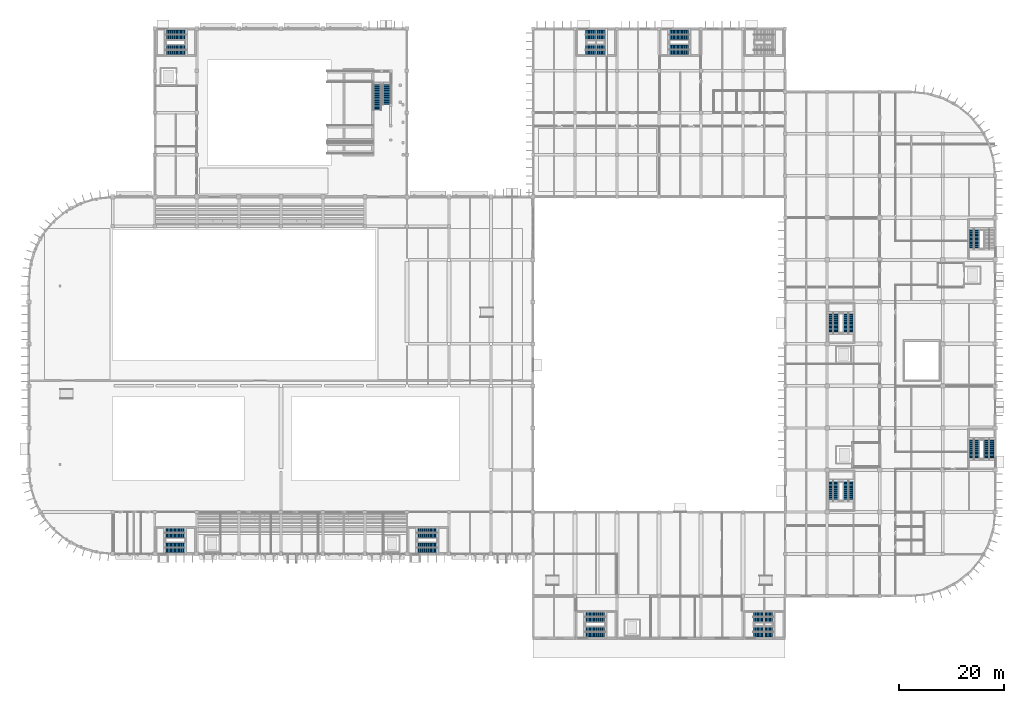
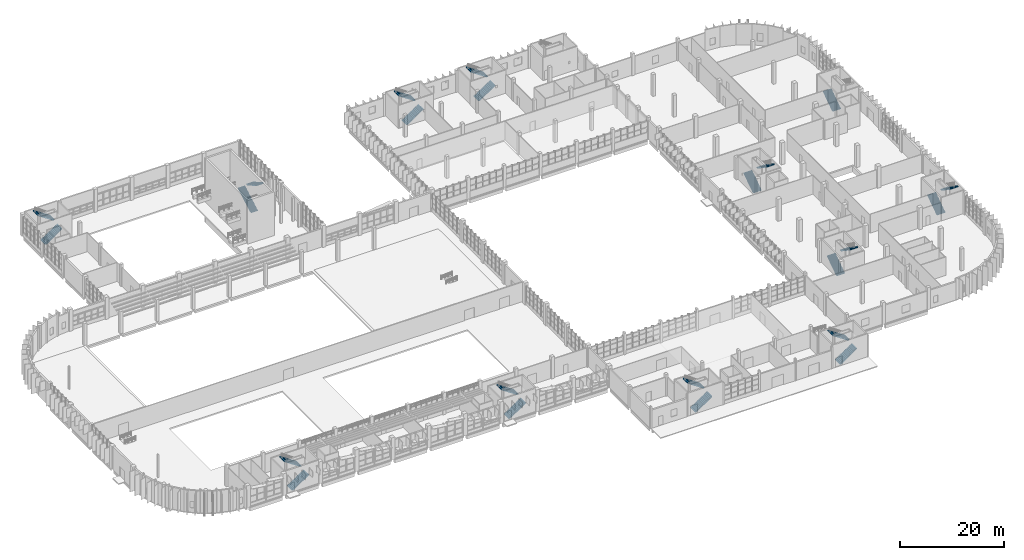
# One storey, part 85 of 103: 23 stair flights, 12 elements without a shape of their own.
"""IFC4 building model written with IfcOpenShell, lengths in metres."""

from ifc_helpers import new_model, si_unit, direction, frame, origin, place, context, subcontext, project, spatial, polyline, outline, extrude, material, type_object, element, aggregate, save


model = new_model("IFC4")

# Units and contexts
model_context = context("Model", 3, precision=1e-05, world=origin(), true_north=direction((0.0, 1.0)))
body_context = subcontext(model_context, "Body", "Model", "MODEL_VIEW")
ifc_project = project(units=[si_unit("LENGTHUNIT", "METRE"), si_unit("AREAUNIT", "SQUARE_METRE"), si_unit("VOLUMEUNIT", "CUBIC_METRE"), si_unit("PLANEANGLEUNIT", "RADIAN"), si_unit("MASSUNIT", "GRAM", prefix="KILO")], contexts=[model_context])

# Site, building, storey
site_placement = place(None, origin())
site = spatial("IfcSite", under=ifc_project, at=site_placement, CompositionType="ELEMENT")
building_placement = place(site_placement, origin())
building = spatial("IfcBuilding", under=site, at=building_placement, Name="Drelvana Railside Aquatics Centre", CompositionType="ELEMENT")
storey_placement = place(building_placement, origin())
storey = spatial("IfcBuildingStorey", under=building, at=storey_placement, Name="L00", CompositionType="ELEMENT", Elevation=0.0)

# Stair, stair flights
ifc_material = material(Name="Concrete C40/50", Category="concrete")
stair_type_1 = type_object("IfcStairType", Name="ST-CORE-L00", PredefinedType="HALF_TURN_STAIR", material=ifc_material)
stair_1_placement = place(storey_placement, origin())
stair_1 = element("IfcStair", 1, at=stair_1_placement, inside=storey, type_object=stair_type_1, Name="Exit stair ST-01 (L00 to L01)", PredefinedType="HALF_TURN_STAIR")
stair_flight_type_1 = type_object("IfcStairFlightType", Name="ST-CORE-L00-FL", PredefinedType="STRAIGHT", material=ifc_material)
stair_flight_1_placement = place(storey_placement, frame((25.969970703125, 17.175048828125, 0.0), z_axis=(0.0, 0.0, 1.0), x_axis=(1.0, 0.0, 0.0)))
stair_flight_1 = element("IfcStairFlight", 2, at=stair_flight_1_placement, type_object=stair_flight_type_1, Name="ST-L0 flight 1", NumberOfRisers=16, NumberOfTreads=15, PredefinedType="STRAIGHT", RiserHeight=0.16875, TreadLength=0.25, context=body_context, shape_type="SweptSolid", body=[
    extrude(outline(polyline([(0.0, 0.0), (0.0, 0.168701171875), (0.25, 0.168701171875), (0.25, 0.33740234375), (0.5, 0.33740234375), (0.5, 0.50634765625), (0.75, 0.50634765625), (0.75, 0.675048828125), (1.0, 0.675048828125), (1.0, 0.84375), (1.25, 0.84375), (1.25, 1.012451171875), (1.5, 1.012451171875), (1.5, 1.18115234375), (1.75, 1.18115234375), (1.75, 1.35009765625), (2.0, 1.35009765625), (2.0, 1.518798828125), (2.25, 1.518798828125), (2.25, 1.6875), (2.5, 1.6875), (2.5, 1.856201171875), (2.75, 1.856201171875), (2.75, 2.02490234375), (3.0, 2.02490234375), (3.0, 2.19384765625), (3.25, 2.19384765625), (3.25, 2.362548828125), (3.5, 2.362548828125), (3.5, 2.53125), (3.75, 2.53125), (3.75, 2.699951171875), (3.75, 2.2900390625), (0.357421875, 0.0), (0.0, 0.0)])), frame((0.0, 0.925048828125, 0.0), z_axis=(0.0, -1.0, 0.0), x_axis=(1.0, 0.0, 0.0)), (0.0, 0.0, 1.0), 1.85009765625),
])
stair_flight_2_placement = place(storey_placement, frame((29.719970703125, 20.02490234375, 2.699951171875), z_axis=(0.0, 0.0, 1.0), x_axis=(-1.0, 0.0, 0.0)))
stair_flight_2 = element("IfcStairFlight", 3, at=stair_flight_2_placement, type_object=stair_flight_type_1, Name="ST-L0 flight 2", NumberOfRisers=16, NumberOfTreads=15, PredefinedType="STRAIGHT", RiserHeight=0.16875, TreadLength=0.25, context=body_context, shape_type="SweptSolid", body=[
    extrude(outline(polyline([(0.0, 0.0), (0.0, 0.168701171875), (0.25, 0.168701171875), (0.25, 0.33740234375), (0.5, 0.33740234375), (0.5, 0.50634765625), (0.75, 0.50634765625), (0.75, 0.675048828125), (1.0, 0.675048828125), (1.0, 0.84375), (1.25, 0.84375), (1.25, 1.012451171875), (1.5, 1.012451171875), (1.5, 1.18115234375), (1.75, 1.18115234375), (1.75, 1.35009765625), (2.0, 1.35009765625), (2.0, 1.518798828125), (2.25, 1.518798828125), (2.25, 1.6875), (2.5, 1.6875), (2.5, 1.856201171875), (2.75, 1.856201171875), (2.75, 2.02490234375), (3.0, 2.02490234375), (3.0, 2.19384765625), (3.25, 2.19384765625), (3.25, 2.362548828125), (3.5, 2.362548828125), (3.5, 2.53125), (3.75, 2.53125), (3.75, 2.699951171875), (3.75, 2.2900390625), (0.357421875, 0.0), (0.0, 0.0)])), frame((0.0, 0.925048828125, 0.0), z_axis=(0.0, -1.0, 0.0), x_axis=(1.0, 0.0, 0.0)), (0.0, 0.0, 1.0), 1.85009765625),
])
aggregate(stair_1, [stair_flight_1, stair_flight_2])

stair_2_placement = place(storey_placement, origin())
stair_2 = element("IfcStair", 4, at=stair_2_placement, inside=storey, type_object=stair_type_1, Name="Exit stair ST-02 (L00 to L01)", PredefinedType="HALF_TURN_STAIR")
stair_flight_3_placement = place(storey_placement, frame((73.969970703125, 17.175048828125, 0.0), z_axis=(0.0, 0.0, 1.0), x_axis=(1.0, 0.0, 0.0)))
stair_flight_3 = element("IfcStairFlight", 5, at=stair_flight_3_placement, type_object=stair_flight_type_1, Name="ST-L0 flight 1", NumberOfRisers=16, NumberOfTreads=15, PredefinedType="STRAIGHT", RiserHeight=0.16875, TreadLength=0.25, context=body_context, shape_type="SweptSolid", body=[
    extrude(outline(polyline([(0.0, 0.0), (0.0, 0.168701171875), (0.25, 0.168701171875), (0.25, 0.33740234375), (0.5, 0.33740234375), (0.5, 0.50634765625), (0.75, 0.50634765625), (0.75, 0.675048828125), (1.0, 0.675048828125), (1.0, 0.84375), (1.25, 0.84375), (1.25, 1.012451171875), (1.5, 1.012451171875), (1.5, 1.18115234375), (1.75, 1.18115234375), (1.75, 1.35009765625), (2.0, 1.35009765625), (2.0, 1.518798828125), (2.25, 1.518798828125), (2.25, 1.6875), (2.5, 1.6875), (2.5, 1.856201171875), (2.75, 1.856201171875), (2.75, 2.02490234375), (3.0, 2.02490234375), (3.0, 2.19384765625), (3.25, 2.19384765625), (3.25, 2.362548828125), (3.5, 2.362548828125), (3.5, 2.53125), (3.75, 2.53125), (3.75, 2.699951171875), (3.75, 2.2900390625), (0.357421875, 0.0), (0.0, 0.0)])), frame((0.0, 0.925048828125, 0.0), z_axis=(0.0, -1.0, 0.0), x_axis=(1.0, 0.0, 0.0)), (0.0, 0.0, 1.0), 1.85009765625),
])
stair_flight_4_placement = place(storey_placement, frame((77.719970703125, 20.02490234375, 2.699951171875), z_axis=(0.0, 0.0, 1.0), x_axis=(-1.0, 0.0, 0.0)))
stair_flight_4 = element("IfcStairFlight", 6, at=stair_flight_4_placement, type_object=stair_flight_type_1, Name="ST-L0 flight 2", NumberOfRisers=16, NumberOfTreads=15, PredefinedType="STRAIGHT", RiserHeight=0.16875, TreadLength=0.25, context=body_context, shape_type="SweptSolid", body=[
    extrude(outline(polyline([(0.0, 0.0), (0.0, 0.168701171875), (0.25, 0.168701171875), (0.25, 0.33740234375), (0.5, 0.33740234375), (0.5, 0.50634765625), (0.75, 0.50634765625), (0.75, 0.675048828125), (1.0, 0.675048828125), (1.0, 0.84375), (1.25, 0.84375), (1.25, 1.012451171875), (1.5, 1.012451171875), (1.5, 1.18115234375), (1.75, 1.18115234375), (1.75, 1.35009765625), (2.0, 1.35009765625), (2.0, 1.518798828125), (2.25, 1.518798828125), (2.25, 1.6875), (2.5, 1.6875), (2.5, 1.856201171875), (2.75, 1.856201171875), (2.75, 2.02490234375), (3.0, 2.02490234375), (3.0, 2.19384765625), (3.25, 2.19384765625), (3.25, 2.362548828125), (3.5, 2.362548828125), (3.5, 2.53125), (3.75, 2.53125), (3.75, 2.699951171875), (3.75, 2.2900390625), (0.357421875, 0.0), (0.0, 0.0)])), frame((0.0, 0.925048828125, 0.0), z_axis=(0.0, -1.0, 0.0), x_axis=(1.0, 0.0, 0.0)), (0.0, 0.0, 1.0), 1.85009765625),
])
aggregate(stair_2, [stair_flight_3, stair_flight_4])

stair_3_placement = place(storey_placement, origin())
stair_3 = element("IfcStair", 7, at=stair_3_placement, inside=storey, type_object=stair_type_1, Name="Exit stair ST-03 (L00 to L01)", PredefinedType="HALF_TURN_STAIR")
stair_flight_5_placement = place(storey_placement, frame((26.1201171875, 111.949951171875, 0.0), z_axis=(0.0, 0.0, 1.0), x_axis=(1.0, 0.0, 0.0)))
stair_flight_5 = element("IfcStairFlight", 8, at=stair_flight_5_placement, type_object=stair_flight_type_1, Name="ST-L0 flight 1", NumberOfRisers=16, NumberOfTreads=15, PredefinedType="STRAIGHT", RiserHeight=0.16875, TreadLength=0.25, context=body_context, shape_type="SweptSolid", body=[
    extrude(outline(polyline([(0.0, 0.0), (0.0, 0.168701171875), (0.25, 0.168701171875), (0.25, 0.33740234375), (0.5, 0.33740234375), (0.5, 0.50634765625), (0.75, 0.50634765625), (0.75, 0.675048828125), (1.0, 0.675048828125), (1.0, 0.84375), (1.25, 0.84375), (1.25, 1.012451171875), (1.5, 1.012451171875), (1.5, 1.18115234375), (1.75, 1.18115234375), (1.75, 1.35009765625), (2.0, 1.35009765625), (2.0, 1.518798828125), (2.25, 1.518798828125), (2.25, 1.6875), (2.5, 1.6875), (2.5, 1.856201171875), (2.75, 1.856201171875), (2.75, 2.02490234375), (3.0, 2.02490234375), (3.0, 2.19384765625), (3.25, 2.19384765625), (3.25, 2.362548828125), (3.5, 2.362548828125), (3.5, 2.53125), (3.75, 2.53125), (3.75, 2.699951171875), (3.75, 2.2900390625), (0.357421875, 0.0), (0.0, 0.0)])), frame((0.0, 0.89990234375, 0.0), z_axis=(0.0, -1.0, 0.0), x_axis=(1.0, 0.0, 0.0)), (0.0, 0.0, 1.0), 1.800048828125),
])
stair_flight_6_placement = place(storey_placement, frame((29.8701171875, 114.85009765625, 2.699951171875), z_axis=(0.0, 0.0, 1.0), x_axis=(-1.0, 0.0, 0.0)))
stair_flight_6 = element("IfcStairFlight", 9, at=stair_flight_6_placement, type_object=stair_flight_type_1, Name="ST-L0 flight 2", NumberOfRisers=16, NumberOfTreads=15, PredefinedType="STRAIGHT", RiserHeight=0.16875, TreadLength=0.25, context=body_context, shape_type="SweptSolid", body=[
    extrude(outline(polyline([(0.0, 0.0), (0.0, 0.168701171875), (0.25, 0.168701171875), (0.25, 0.33740234375), (0.5, 0.33740234375), (0.5, 0.50634765625), (0.75, 0.50634765625), (0.75, 0.675048828125), (1.0, 0.675048828125), (1.0, 0.84375), (1.25, 0.84375), (1.25, 1.012451171875), (1.5, 1.012451171875), (1.5, 1.18115234375), (1.75, 1.18115234375), (1.75, 1.35009765625), (2.0, 1.35009765625), (2.0, 1.518798828125), (2.25, 1.518798828125), (2.25, 1.6875), (2.5, 1.6875), (2.5, 1.856201171875), (2.75, 1.856201171875), (2.75, 2.02490234375), (3.0, 2.02490234375), (3.0, 2.19384765625), (3.25, 2.19384765625), (3.25, 2.362548828125), (3.5, 2.362548828125), (3.5, 2.53125), (3.75, 2.53125), (3.75, 2.699951171875), (3.75, 2.2900390625), (0.357421875, 0.0), (0.0, 0.0)])), frame((0.0, 0.89990234375, 0.0), z_axis=(0.0, -1.0, 0.0), x_axis=(1.0, 0.0, 0.0)), (0.0, 0.0, 1.0), 1.800048828125),
])
aggregate(stair_3, [stair_flight_5, stair_flight_6])

stair_4_placement = place(storey_placement, origin())
stair_4 = element("IfcStair", 10, at=stair_4_placement, inside=storey, type_object=stair_type_1, Name="Exit stair ST-04 (L00 to L01)", PredefinedType="HALF_TURN_STAIR")
stair_flight_7_placement = place(storey_placement, frame((105.969970703125, 1.175048828125, 0.0), z_axis=(0.0, 0.0, 1.0), x_axis=(1.0, 0.0, 0.0)))
stair_flight_7 = element("IfcStairFlight", 11, at=stair_flight_7_placement, type_object=stair_flight_type_1, Name="ST-L0 flight 1", NumberOfRisers=16, NumberOfTreads=15, PredefinedType="STRAIGHT", RiserHeight=0.16875, TreadLength=0.25, context=body_context, shape_type="SweptSolid", body=[
    extrude(outline(polyline([(0.0, 0.0), (0.0, 0.168701171875), (0.25, 0.168701171875), (0.25, 0.33740234375), (0.5, 0.33740234375), (0.5, 0.50634765625), (0.75, 0.50634765625), (0.75, 0.675048828125), (1.0, 0.675048828125), (1.0, 0.84375), (1.25, 0.84375), (1.25, 1.012451171875), (1.5, 1.012451171875), (1.5, 1.18115234375), (1.75, 1.18115234375), (1.75, 1.35009765625), (2.0, 1.35009765625), (2.0, 1.518798828125), (2.25, 1.518798828125), (2.25, 1.6875), (2.5, 1.6875), (2.5, 1.856201171875), (2.75, 1.856201171875), (2.75, 2.02490234375), (3.0, 2.02490234375), (3.0, 2.19384765625), (3.25, 2.19384765625), (3.25, 2.362548828125), (3.5, 2.362548828125), (3.5, 2.53125), (3.75, 2.53125), (3.75, 2.699951171875), (3.75, 2.2900390625), (0.357421875, 0.0), (0.0, 0.0)])), frame((0.0, 0.925048828125, 0.0), z_axis=(0.0, -1.0, 0.0), x_axis=(1.0, 0.0, 0.0)), (0.0, 0.0, 1.0), 1.85009765625),
])
stair_flight_8_placement = place(storey_placement, frame((109.719970703125, 4.02490234375, 2.699951171875), z_axis=(0.0, 0.0, 1.0), x_axis=(-1.0, 0.0, 0.0)))
stair_flight_8 = element("IfcStairFlight", 12, at=stair_flight_8_placement, type_object=stair_flight_type_1, Name="ST-L0 flight 2", NumberOfRisers=16, NumberOfTreads=15, PredefinedType="STRAIGHT", RiserHeight=0.16875, TreadLength=0.25, context=body_context, shape_type="SweptSolid", body=[
    extrude(outline(polyline([(0.0, 0.0), (0.0, 0.168701171875), (0.25, 0.168701171875), (0.25, 0.33740234375), (0.5, 0.33740234375), (0.5, 0.50634765625), (0.75, 0.50634765625), (0.75, 0.675048828125), (1.0, 0.675048828125), (1.0, 0.84375), (1.25, 0.84375), (1.25, 1.012451171875), (1.5, 1.012451171875), (1.5, 1.18115234375), (1.75, 1.18115234375), (1.75, 1.35009765625), (2.0, 1.35009765625), (2.0, 1.518798828125), (2.25, 1.518798828125), (2.25, 1.6875), (2.5, 1.6875), (2.5, 1.856201171875), (2.75, 1.856201171875), (2.75, 2.02490234375), (3.0, 2.02490234375), (3.0, 2.19384765625), (3.25, 2.19384765625), (3.25, 2.362548828125), (3.5, 2.362548828125), (3.5, 2.53125), (3.75, 2.53125), (3.75, 2.699951171875), (3.75, 2.2900390625), (0.357421875, 0.0), (0.0, 0.0)])), frame((0.0, 0.925048828125, 0.0), z_axis=(0.0, -1.0, 0.0), x_axis=(1.0, 0.0, 0.0)), (0.0, 0.0, 1.0), 1.85009765625),
])
aggregate(stair_4, [stair_flight_7, stair_flight_8])

stair_5_placement = place(storey_placement, origin())
stair_5 = element("IfcStair", 13, at=stair_5_placement, inside=storey, type_object=stair_type_1, Name="Exit stair ST-05 (L00 to L01)", PredefinedType="HALF_TURN_STAIR")
stair_flight_9_placement = place(storey_placement, frame((121.969970703125, 111.97509765625, 0.0), z_axis=(0.0, 0.0, 1.0), x_axis=(1.0, 0.0, 0.0)))
stair_flight_9 = element("IfcStairFlight", 14, at=stair_flight_9_placement, type_object=stair_flight_type_1, Name="ST-L0 flight 1", NumberOfRisers=16, NumberOfTreads=15, PredefinedType="STRAIGHT", RiserHeight=0.16875, TreadLength=0.25, context=body_context, shape_type="SweptSolid", body=[
    extrude(outline(polyline([(0.0, 0.0), (0.0, 0.168701171875), (0.25, 0.168701171875), (0.25, 0.33740234375), (0.5, 0.33740234375), (0.5, 0.50634765625), (0.75, 0.50634765625), (0.75, 0.675048828125), (1.0, 0.675048828125), (1.0, 0.84375), (1.25, 0.84375), (1.25, 1.012451171875), (1.5, 1.012451171875), (1.5, 1.18115234375), (1.75, 1.18115234375), (1.75, 1.35009765625), (2.0, 1.35009765625), (2.0, 1.518798828125), (2.25, 1.518798828125), (2.25, 1.6875), (2.5, 1.6875), (2.5, 1.856201171875), (2.75, 1.856201171875), (2.75, 2.02490234375), (3.0, 2.02490234375), (3.0, 2.19384765625), (3.25, 2.19384765625), (3.25, 2.362548828125), (3.5, 2.362548828125), (3.5, 2.53125), (3.75, 2.53125), (3.75, 2.699951171875), (3.75, 2.2900390625), (0.357421875, 0.0), (0.0, 0.0)])), frame((0.0, 0.925048828125, 0.0), z_axis=(0.0, -1.0, 0.0), x_axis=(1.0, 0.0, 0.0)), (0.0, 0.0, 1.0), 1.85009765625),
])
stair_flight_10_placement = place(storey_placement, frame((125.719970703125, 114.824951171875, 2.699951171875), z_axis=(0.0, 0.0, 1.0), x_axis=(-1.0, 0.0, 0.0)))
stair_flight_10 = element("IfcStairFlight", 15, at=stair_flight_10_placement, type_object=stair_flight_type_1, Name="ST-L0 flight 2", NumberOfRisers=16, NumberOfTreads=15, PredefinedType="STRAIGHT", RiserHeight=0.16875, TreadLength=0.25, context=body_context, shape_type="SweptSolid", body=[
    extrude(outline(polyline([(0.0, 0.0), (0.0, 0.168701171875), (0.25, 0.168701171875), (0.25, 0.33740234375), (0.5, 0.33740234375), (0.5, 0.50634765625), (0.75, 0.50634765625), (0.75, 0.675048828125), (1.0, 0.675048828125), (1.0, 0.84375), (1.25, 0.84375), (1.25, 1.012451171875), (1.5, 1.012451171875), (1.5, 1.18115234375), (1.75, 1.18115234375), (1.75, 1.35009765625), (2.0, 1.35009765625), (2.0, 1.518798828125), (2.25, 1.518798828125), (2.25, 1.6875), (2.5, 1.6875), (2.5, 1.856201171875), (2.75, 1.856201171875), (2.75, 2.02490234375), (3.0, 2.02490234375), (3.0, 2.19384765625), (3.25, 2.19384765625), (3.25, 2.362548828125), (3.5, 2.362548828125), (3.5, 2.53125), (3.75, 2.53125), (3.75, 2.699951171875), (3.75, 2.2900390625), (0.357421875, 0.0), (0.0, 0.0)])), frame((0.0, 0.925048828125, 0.0), z_axis=(0.0, -1.0, 0.0), x_axis=(1.0, 0.0, 0.0)), (0.0, 0.0, 1.0), 1.85009765625),
])
aggregate(stair_5, [stair_flight_9, stair_flight_10])

stair_6_placement = place(storey_placement, origin())
stair_6 = element("IfcStair", 16, at=stair_6_placement, inside=storey, type_object=stair_type_1, Name="Exit stair ST-06 (L00 to L01)", PredefinedType="HALF_TURN_STAIR")
stair_flight_11_placement = place(storey_placement, frame((153.14990234375, 26.14990234375, 0.0), z_axis=(0.0, 0.0, 1.0), x_axis=(0.0, 1.0, 0.0)))
stair_flight_11 = element("IfcStairFlight", 17, at=stair_flight_11_placement, type_object=stair_flight_type_1, Name="ST-L0 flight 1", NumberOfRisers=16, NumberOfTreads=15, PredefinedType="STRAIGHT", RiserHeight=0.16875, TreadLength=0.25, context=body_context, shape_type="SweptSolid", body=[
    extrude(outline(polyline([(0.0, 0.0), (0.0, 0.168701171875), (0.25, 0.168701171875), (0.25, 0.33740234375), (0.5, 0.33740234375), (0.5, 0.50634765625), (0.75, 0.50634765625), (0.75, 0.675048828125), (1.0, 0.675048828125), (1.0, 0.84375), (1.25, 0.84375), (1.25, 1.012451171875), (1.5, 1.012451171875), (1.5, 1.18115234375), (1.75, 1.18115234375), (1.75, 1.35009765625), (2.0, 1.35009765625), (2.0, 1.518798828125), (2.25, 1.518798828125), (2.25, 1.6875), (2.5, 1.6875), (2.5, 1.856201171875), (2.75, 1.856201171875), (2.75, 2.02490234375), (3.0, 2.02490234375), (3.0, 2.19384765625), (3.25, 2.19384765625), (3.25, 2.362548828125), (3.5, 2.362548828125), (3.5, 2.53125), (3.75, 2.53125), (3.75, 2.699951171875), (3.75, 2.2900390625), (0.357421875, 0.0), (0.0, 0.0)])), frame((0.0, 0.89990234375, 0.0), z_axis=(0.0, -1.0, 0.0), x_axis=(1.0, 0.0, 0.0)), (0.0, 0.0, 1.0), 1.800048828125),
])
stair_flight_12_placement = place(storey_placement, frame((156.050048828125, 29.89990234375, 2.699951171875), z_axis=(0.0, 0.0, 1.0), x_axis=(0.0, -1.0, 0.0)))
stair_flight_12 = element("IfcStairFlight", 18, at=stair_flight_12_placement, type_object=stair_flight_type_1, Name="ST-L0 flight 2", NumberOfRisers=16, NumberOfTreads=15, PredefinedType="STRAIGHT", RiserHeight=0.16875, TreadLength=0.25, context=body_context, shape_type="SweptSolid", body=[
    extrude(outline(polyline([(0.0, 0.0), (0.0, 0.168701171875), (0.25, 0.168701171875), (0.25, 0.33740234375), (0.5, 0.33740234375), (0.5, 0.50634765625), (0.75, 0.50634765625), (0.75, 0.675048828125), (1.0, 0.675048828125), (1.0, 0.84375), (1.25, 0.84375), (1.25, 1.012451171875), (1.5, 1.012451171875), (1.5, 1.18115234375), (1.75, 1.18115234375), (1.75, 1.35009765625), (2.0, 1.35009765625), (2.0, 1.518798828125), (2.25, 1.518798828125), (2.25, 1.6875), (2.5, 1.6875), (2.5, 1.856201171875), (2.75, 1.856201171875), (2.75, 2.02490234375), (3.0, 2.02490234375), (3.0, 2.19384765625), (3.25, 2.19384765625), (3.25, 2.362548828125), (3.5, 2.362548828125), (3.5, 2.53125), (3.75, 2.53125), (3.75, 2.699951171875), (3.75, 2.2900390625), (0.357421875, 0.0), (0.0, 0.0)])), frame((0.0, 0.89990234375, 0.0), z_axis=(0.0, -1.0, 0.0), x_axis=(1.0, 0.0, 0.0)), (0.0, 0.0, 1.0), 1.800048828125),
])
aggregate(stair_6, [stair_flight_11, stair_flight_12])

# Stair, stair flight
stair_7_placement = place(storey_placement, origin())
stair_7 = element("IfcStair", 19, at=stair_7_placement, inside=storey, type_object=stair_type_1, Name="Exit stair ST-07 (L00 to L01)", PredefinedType="HALF_TURN_STAIR")
stair_flight_13_placement = place(storey_placement, frame((179.949951171875, 74.090087890625, 0.0), z_axis=(0.0, 0.0, 1.0), x_axis=(0.0, 1.0, 0.0)))
stair_flight_13 = element("IfcStairFlight", 20, at=stair_flight_13_placement, type_object=stair_flight_type_1, Name="ST-L0 flight 1", NumberOfRisers=16, NumberOfTreads=15, PredefinedType="STRAIGHT", RiserHeight=0.16875, TreadLength=0.25, context=body_context, shape_type="SweptSolid", body=[
    extrude(outline(polyline([(0.0, 0.0), (0.0, 0.168701171875), (0.25, 0.168701171875), (0.25, 0.33740234375), (0.5, 0.33740234375), (0.5, 0.50634765625), (0.75, 0.50634765625), (0.75, 0.675048828125), (1.0, 0.675048828125), (1.0, 0.84375), (1.25, 0.84375), (1.25, 1.012451171875), (1.5, 1.012451171875), (1.5, 1.18115234375), (1.75, 1.18115234375), (1.75, 1.35009765625), (2.0, 1.35009765625), (2.0, 1.518798828125), (2.25, 1.518798828125), (2.25, 1.6875), (2.5, 1.6875), (2.5, 1.856201171875), (2.75, 1.856201171875), (2.75, 2.02490234375), (3.0, 2.02490234375), (3.0, 2.19384765625), (3.25, 2.19384765625), (3.25, 2.362548828125), (3.5, 2.362548828125), (3.5, 2.53125), (3.75, 2.53125), (3.75, 2.699951171875), (3.75, 2.2900390625), (0.357421875, 0.0), (0.0, 0.0)])), frame((0.0, 0.89990234375, 0.0), z_axis=(0.0, -1.0, 0.0), x_axis=(1.0, 0.0, 0.0)), (0.0, 0.0, 1.0), 1.800048828125),
])
aggregate(stair_7, [stair_flight_13])

# Stair, stair flights
stair_8_placement = place(storey_placement, origin())
stair_8 = element("IfcStair", 21, at=stair_8_placement, inside=storey, type_object=stair_type_1, Name="Exit stair ST-08 (L00 to L01)", PredefinedType="HALF_TURN_STAIR")
stair_flight_14_placement = place(storey_placement, frame((153.159912109375, 58.090087890625, 0.0), z_axis=(0.0, 0.0, 1.0), x_axis=(0.0, 1.0, 0.0)))
stair_flight_14 = element("IfcStairFlight", 22, at=stair_flight_14_placement, type_object=stair_flight_type_1, Name="ST-L0 flight 1", NumberOfRisers=16, NumberOfTreads=15, PredefinedType="STRAIGHT", RiserHeight=0.16875, TreadLength=0.25, context=body_context, shape_type="SweptSolid", body=[
    extrude(outline(polyline([(0.0, 0.0), (0.0, 0.168701171875), (0.25, 0.168701171875), (0.25, 0.33740234375), (0.5, 0.33740234375), (0.5, 0.50634765625), (0.75, 0.50634765625), (0.75, 0.675048828125), (1.0, 0.675048828125), (1.0, 0.84375), (1.25, 0.84375), (1.25, 1.012451171875), (1.5, 1.012451171875), (1.5, 1.18115234375), (1.75, 1.18115234375), (1.75, 1.35009765625), (2.0, 1.35009765625), (2.0, 1.518798828125), (2.25, 1.518798828125), (2.25, 1.6875), (2.5, 1.6875), (2.5, 1.856201171875), (2.75, 1.856201171875), (2.75, 2.02490234375), (3.0, 2.02490234375), (3.0, 2.19384765625), (3.25, 2.19384765625), (3.25, 2.362548828125), (3.5, 2.362548828125), (3.5, 2.53125), (3.75, 2.53125), (3.75, 2.699951171875), (3.75, 2.2900390625), (0.357421875, 0.0), (0.0, 0.0)])), frame((0.0, 0.91015625, 0.0), z_axis=(0.0, -1.0, 0.0), x_axis=(1.0, 0.0, 0.0)), (0.0, 0.0, 1.0), 1.820068359375),
])
stair_flight_15_placement = place(storey_placement, frame((156.0400390625, 61.840087890625, 2.699951171875), z_axis=(0.0, 0.0, 1.0), x_axis=(0.0, -1.0, 0.0)))
stair_flight_15 = element("IfcStairFlight", 23, at=stair_flight_15_placement, type_object=stair_flight_type_1, Name="ST-L0 flight 2", NumberOfRisers=16, NumberOfTreads=15, PredefinedType="STRAIGHT", RiserHeight=0.16875, TreadLength=0.25, context=body_context, shape_type="SweptSolid", body=[
    extrude(outline(polyline([(0.0, 0.0), (0.0, 0.168701171875), (0.25, 0.168701171875), (0.25, 0.33740234375), (0.5, 0.33740234375), (0.5, 0.50634765625), (0.75, 0.50634765625), (0.75, 0.675048828125), (1.0, 0.675048828125), (1.0, 0.84375), (1.25, 0.84375), (1.25, 1.012451171875), (1.5, 1.012451171875), (1.5, 1.18115234375), (1.75, 1.18115234375), (1.75, 1.35009765625), (2.0, 1.35009765625), (2.0, 1.518798828125), (2.25, 1.518798828125), (2.25, 1.6875), (2.5, 1.6875), (2.5, 1.856201171875), (2.75, 1.856201171875), (2.75, 2.02490234375), (3.0, 2.02490234375), (3.0, 2.19384765625), (3.25, 2.19384765625), (3.25, 2.362548828125), (3.5, 2.362548828125), (3.5, 2.53125), (3.75, 2.53125), (3.75, 2.699951171875), (3.75, 2.2900390625), (0.357421875, 0.0), (0.0, 0.0)])), frame((0.0, 0.91015625, 0.0), z_axis=(0.0, -1.0, 0.0), x_axis=(1.0, 0.0, 0.0)), (0.0, 0.0, 1.0), 1.820068359375),
])
aggregate(stair_8, [stair_flight_14, stair_flight_15])

stair_9_placement = place(storey_placement, origin())
stair_9 = element("IfcStair", 24, at=stair_9_placement, inside=storey, type_object=stair_type_1, Name="Exit stair ST-09 (L00 to L01)", PredefinedType="HALF_TURN_STAIR")
stair_flight_16_placement = place(storey_placement, frame((179.9599609375, 34.090087890625, 0.0), z_axis=(0.0, 0.0, 1.0), x_axis=(0.0, 1.0, 0.0)))
stair_flight_16 = element("IfcStairFlight", 25, at=stair_flight_16_placement, type_object=stair_flight_type_1, Name="ST-L0 flight 1", NumberOfRisers=16, NumberOfTreads=15, PredefinedType="STRAIGHT", RiserHeight=0.16875, TreadLength=0.25, context=body_context, shape_type="SweptSolid", body=[
    extrude(outline(polyline([(0.0, 0.0), (0.0, 0.168701171875), (0.25, 0.168701171875), (0.25, 0.33740234375), (0.5, 0.33740234375), (0.5, 0.50634765625), (0.75, 0.50634765625), (0.75, 0.675048828125), (1.0, 0.675048828125), (1.0, 0.84375), (1.25, 0.84375), (1.25, 1.012451171875), (1.5, 1.012451171875), (1.5, 1.18115234375), (1.75, 1.18115234375), (1.75, 1.35009765625), (2.0, 1.35009765625), (2.0, 1.518798828125), (2.25, 1.518798828125), (2.25, 1.6875), (2.5, 1.6875), (2.5, 1.856201171875), (2.75, 1.856201171875), (2.75, 2.02490234375), (3.0, 2.02490234375), (3.0, 2.19384765625), (3.25, 2.19384765625), (3.25, 2.362548828125), (3.5, 2.362548828125), (3.5, 2.53125), (3.75, 2.53125), (3.75, 2.699951171875), (3.75, 2.2900390625), (0.357421875, 0.0), (0.0, 0.0)])), frame((0.0, 0.91015625, 0.0), z_axis=(0.0, -1.0, 0.0), x_axis=(1.0, 0.0, 0.0)), (0.0, 0.0, 1.0), 1.820068359375),
])
stair_flight_17_placement = place(storey_placement, frame((182.840087890625, 37.840087890625, 2.699951171875), z_axis=(0.0, 0.0, 1.0), x_axis=(0.0, -1.0, 0.0)))
stair_flight_17 = element("IfcStairFlight", 26, at=stair_flight_17_placement, type_object=stair_flight_type_1, Name="ST-L0 flight 2", NumberOfRisers=16, NumberOfTreads=15, PredefinedType="STRAIGHT", RiserHeight=0.16875, TreadLength=0.25, context=body_context, shape_type="SweptSolid", body=[
    extrude(outline(polyline([(0.0, 0.0), (0.0, 0.168701171875), (0.25, 0.168701171875), (0.25, 0.33740234375), (0.5, 0.33740234375), (0.5, 0.50634765625), (0.75, 0.50634765625), (0.75, 0.675048828125), (1.0, 0.675048828125), (1.0, 0.84375), (1.25, 0.84375), (1.25, 1.012451171875), (1.5, 1.012451171875), (1.5, 1.18115234375), (1.75, 1.18115234375), (1.75, 1.35009765625), (2.0, 1.35009765625), (2.0, 1.518798828125), (2.25, 1.518798828125), (2.25, 1.6875), (2.5, 1.6875), (2.5, 1.856201171875), (2.75, 1.856201171875), (2.75, 2.02490234375), (3.0, 2.02490234375), (3.0, 2.19384765625), (3.25, 2.19384765625), (3.25, 2.362548828125), (3.5, 2.362548828125), (3.5, 2.53125), (3.75, 2.53125), (3.75, 2.699951171875), (3.75, 2.2900390625), (0.357421875, 0.0), (0.0, 0.0)])), frame((0.0, 0.91015625, 0.0), z_axis=(0.0, -1.0, 0.0), x_axis=(1.0, 0.0, 0.0)), (0.0, 0.0, 1.0), 1.820068359375),
])
aggregate(stair_9, [stair_flight_16, stair_flight_17])

stair_10_placement = place(storey_placement, origin())
stair_10 = element("IfcStair", 27, at=stair_10_placement, inside=storey, type_object=stair_type_1, Name="Exit stair ST-10 (L00 to L01)", PredefinedType="HALF_TURN_STAIR")
stair_flight_18_placement = place(storey_placement, frame((137.969970703125, 1.175048828125, 0.0), z_axis=(0.0, 0.0, 1.0), x_axis=(1.0, 0.0, 0.0)))
stair_flight_18 = element("IfcStairFlight", 28, at=stair_flight_18_placement, type_object=stair_flight_type_1, Name="ST-L0 flight 1", NumberOfRisers=16, NumberOfTreads=15, PredefinedType="STRAIGHT", RiserHeight=0.16875, TreadLength=0.25, context=body_context, shape_type="SweptSolid", body=[
    extrude(outline(polyline([(0.0, 0.0), (0.0, 0.168701171875), (0.25, 0.168701171875), (0.25, 0.33740234375), (0.5, 0.33740234375), (0.5, 0.50634765625), (0.75, 0.50634765625), (0.75, 0.675048828125), (1.0, 0.675048828125), (1.0, 0.84375), (1.25, 0.84375), (1.25, 1.012451171875), (1.5, 1.012451171875), (1.5, 1.18115234375), (1.75, 1.18115234375), (1.75, 1.35009765625), (2.0, 1.35009765625), (2.0, 1.518798828125), (2.25, 1.518798828125), (2.25, 1.6875), (2.5, 1.6875), (2.5, 1.856201171875), (2.75, 1.856201171875), (2.75, 2.02490234375), (3.0, 2.02490234375), (3.0, 2.19384765625), (3.25, 2.19384765625), (3.25, 2.362548828125), (3.5, 2.362548828125), (3.5, 2.53125), (3.75, 2.53125), (3.75, 2.699951171875), (3.75, 2.2900390625), (0.357421875, 0.0), (0.0, 0.0)])), frame((0.0, 0.925048828125, 0.0), z_axis=(0.0, -1.0, 0.0), x_axis=(1.0, 0.0, 0.0)), (0.0, 0.0, 1.0), 1.85009765625),
])
stair_flight_19_placement = place(storey_placement, frame((141.719970703125, 4.02490234375, 2.699951171875), z_axis=(0.0, 0.0, 1.0), x_axis=(-1.0, 0.0, 0.0)))
stair_flight_19 = element("IfcStairFlight", 29, at=stair_flight_19_placement, type_object=stair_flight_type_1, Name="ST-L0 flight 2", NumberOfRisers=16, NumberOfTreads=15, PredefinedType="STRAIGHT", RiserHeight=0.16875, TreadLength=0.25, context=body_context, shape_type="SweptSolid", body=[
    extrude(outline(polyline([(0.0, 0.0), (0.0, 0.168701171875), (0.25, 0.168701171875), (0.25, 0.33740234375), (0.5, 0.33740234375), (0.5, 0.50634765625), (0.75, 0.50634765625), (0.75, 0.675048828125), (1.0, 0.675048828125), (1.0, 0.84375), (1.25, 0.84375), (1.25, 1.012451171875), (1.5, 1.012451171875), (1.5, 1.18115234375), (1.75, 1.18115234375), (1.75, 1.35009765625), (2.0, 1.35009765625), (2.0, 1.518798828125), (2.25, 1.518798828125), (2.25, 1.6875), (2.5, 1.6875), (2.5, 1.856201171875), (2.75, 1.856201171875), (2.75, 2.02490234375), (3.0, 2.02490234375), (3.0, 2.19384765625), (3.25, 2.19384765625), (3.25, 2.362548828125), (3.5, 2.362548828125), (3.5, 2.53125), (3.75, 2.53125), (3.75, 2.699951171875), (3.75, 2.2900390625), (0.357421875, 0.0), (0.0, 0.0)])), frame((0.0, 0.925048828125, 0.0), z_axis=(0.0, -1.0, 0.0), x_axis=(1.0, 0.0, 0.0)), (0.0, 0.0, 1.0), 1.85009765625),
])
aggregate(stair_10, [stair_flight_18, stair_flight_19])

stair_11_placement = place(storey_placement, origin())
stair_11 = element("IfcStair", 30, at=stair_11_placement, inside=storey, type_object=stair_type_1, Name="Exit stair ST-11 (L00 to L01)", PredefinedType="HALF_TURN_STAIR")
stair_flight_20_placement = place(storey_placement, frame((106.02001953125, 111.949951171875, 0.0), z_axis=(0.0, 0.0, 1.0), x_axis=(1.0, 0.0, 0.0)))
stair_flight_20 = element("IfcStairFlight", 31, at=stair_flight_20_placement, type_object=stair_flight_type_1, Name="ST-L0 flight 1", NumberOfRisers=16, NumberOfTreads=15, PredefinedType="STRAIGHT", RiserHeight=0.16875, TreadLength=0.25, context=body_context, shape_type="SweptSolid", body=[
    extrude(outline(polyline([(0.0, 0.0), (0.0, 0.168701171875), (0.25, 0.168701171875), (0.25, 0.33740234375), (0.5, 0.33740234375), (0.5, 0.50634765625), (0.75, 0.50634765625), (0.75, 0.675048828125), (1.0, 0.675048828125), (1.0, 0.84375), (1.25, 0.84375), (1.25, 1.012451171875), (1.5, 1.012451171875), (1.5, 1.18115234375), (1.75, 1.18115234375), (1.75, 1.35009765625), (2.0, 1.35009765625), (2.0, 1.518798828125), (2.25, 1.518798828125), (2.25, 1.6875), (2.5, 1.6875), (2.5, 1.856201171875), (2.75, 1.856201171875), (2.75, 2.02490234375), (3.0, 2.02490234375), (3.0, 2.19384765625), (3.25, 2.19384765625), (3.25, 2.362548828125), (3.5, 2.362548828125), (3.5, 2.53125), (3.75, 2.53125), (3.75, 2.699951171875), (3.75, 2.2900390625), (0.357421875, 0.0), (0.0, 0.0)])), frame((0.0, 0.89990234375, 0.0), z_axis=(0.0, -1.0, 0.0), x_axis=(1.0, 0.0, 0.0)), (0.0, 0.0, 1.0), 1.800048828125),
])
stair_flight_21_placement = place(storey_placement, frame((109.77001953125, 114.85009765625, 2.699951171875), z_axis=(0.0, 0.0, 1.0), x_axis=(-1.0, 0.0, 0.0)))
stair_flight_21 = element("IfcStairFlight", 32, at=stair_flight_21_placement, type_object=stair_flight_type_1, Name="ST-L0 flight 2", NumberOfRisers=16, NumberOfTreads=15, PredefinedType="STRAIGHT", RiserHeight=0.16875, TreadLength=0.25, context=body_context, shape_type="SweptSolid", body=[
    extrude(outline(polyline([(0.0, 0.0), (0.0, 0.168701171875), (0.25, 0.168701171875), (0.25, 0.33740234375), (0.5, 0.33740234375), (0.5, 0.50634765625), (0.75, 0.50634765625), (0.75, 0.675048828125), (1.0, 0.675048828125), (1.0, 0.84375), (1.25, 0.84375), (1.25, 1.012451171875), (1.5, 1.012451171875), (1.5, 1.18115234375), (1.75, 1.18115234375), (1.75, 1.35009765625), (2.0, 1.35009765625), (2.0, 1.518798828125), (2.25, 1.518798828125), (2.25, 1.6875), (2.5, 1.6875), (2.5, 1.856201171875), (2.75, 1.856201171875), (2.75, 2.02490234375), (3.0, 2.02490234375), (3.0, 2.19384765625), (3.25, 2.19384765625), (3.25, 2.362548828125), (3.5, 2.362548828125), (3.5, 2.53125), (3.75, 2.53125), (3.75, 2.699951171875), (3.75, 2.2900390625), (0.357421875, 0.0), (0.0, 0.0)])), frame((0.0, 0.89990234375, 0.0), z_axis=(0.0, -1.0, 0.0), x_axis=(1.0, 0.0, 0.0)), (0.0, 0.0, 1.0), 1.800048828125),
])
aggregate(stair_11, [stair_flight_20, stair_flight_21])

stair_type_2 = type_object("IfcStairType", Name="ST-DIVE-1", PredefinedType="HALF_TURN_STAIR", material=ifc_material)
stair_12_placement = place(storey_placement, origin())
stair_12 = element("IfcStair", 33, at=stair_12_placement, inside=storey, type_object=stair_type_2, Name="Diving tower stair ST-DV1", PredefinedType="HALF_TURN_STAIR")
stair_flight_type_2 = type_object("IfcStairFlightType", Name="ST-DIVE-1-FL", PredefinedType="STRAIGHT", material=ifc_material)
stair_flight_22_placement = place(storey_placement, frame((66.35009765625, 100.5, 0.0), z_axis=(0.0, 0.0, 1.0), x_axis=(0.0, 1.0, 0.0)))
stair_flight_22 = element("IfcStairFlight", 34, at=stair_flight_22_placement, type_object=stair_flight_type_2, Name="ST-DV1 flight 1", NumberOfRisers=20, NumberOfTreads=19, PredefinedType="STRAIGHT", RiserHeight=0.15, TreadLength=0.265, context=body_context, shape_type="SweptSolid", body=[
    extrude(outline(polyline([(0.0, 0.0), (0.0, 0.14990234375), (0.264892578125, 0.14990234375), (0.264892578125, 0.300048828125), (0.530029296875, 0.300048828125), (0.530029296875, 0.449951171875), (0.794921875, 0.449951171875), (0.794921875, 0.60009765625), (1.06005859375, 0.60009765625), (1.06005859375, 0.75), (1.324951171875, 0.75), (1.324951171875, 0.89990234375), (1.590087890625, 0.89990234375), (1.590087890625, 1.050048828125), (1.85498046875, 1.050048828125), (1.85498046875, 1.199951171875), (2.1201171875, 1.199951171875), (2.1201171875, 1.35009765625), (2.385009765625, 1.35009765625), (2.385009765625, 1.5), (2.64990234375, 1.5), (2.64990234375, 1.64990234375), (2.9150390625, 1.64990234375), (2.9150390625, 1.800048828125), (3.179931640625, 1.800048828125), (3.179931640625, 1.949951171875), (3.445068359375, 1.949951171875), (3.445068359375, 2.10009765625), (3.7099609375, 2.10009765625), (3.7099609375, 2.25), (3.97509765625, 2.25), (3.97509765625, 2.39990234375), (4.239990234375, 2.39990234375), (4.239990234375, 2.550048828125), (4.5048828125, 2.550048828125), (4.5048828125, 2.699951171875), (4.77001953125, 2.699951171875), (4.77001953125, 2.85009765625), (5.034912109375, 2.85009765625), (5.034912109375, 3.0), (5.034912109375, 2.6201171875), (0.406005859375, 0.0), (0.0, 0.0)])), frame((0.0, 0.760009765625, 0.0), z_axis=(0.0, -1.0, 0.0), x_axis=(1.0, 0.0, 0.0)), (0.0, 0.0, 1.0), 1.52001953125),
])
stair_flight_23_placement = place(storey_placement, frame((68.199951171875, 105.534912109375, 3.0), z_axis=(0.0, 0.0, 1.0), x_axis=(0.0, -1.0, 0.0)))
stair_flight_23 = element("IfcStairFlight", 35, at=stair_flight_23_placement, type_object=stair_flight_type_2, Name="ST-DV1 flight 2", NumberOfRisers=16, NumberOfTreads=15, PredefinedType="STRAIGHT", RiserHeight=0.15, TreadLength=0.265, context=body_context, shape_type="SweptSolid", body=[
    extrude(outline(polyline([(0.0, 0.0), (0.0, 0.14990234375), (0.264892578125, 0.14990234375), (0.264892578125, 0.300048828125), (0.530029296875, 0.300048828125), (0.530029296875, 0.449951171875), (0.794921875, 0.449951171875), (0.794921875, 0.60009765625), (1.06005859375, 0.60009765625), (1.06005859375, 0.75), (1.324951171875, 0.75), (1.324951171875, 0.89990234375), (1.590087890625, 0.89990234375), (1.590087890625, 1.050048828125), (1.85498046875, 1.050048828125), (1.85498046875, 1.199951171875), (2.1201171875, 1.199951171875), (2.1201171875, 1.35009765625), (2.385009765625, 1.35009765625), (2.385009765625, 1.5), (2.64990234375, 1.5), (2.64990234375, 1.64990234375), (2.9150390625, 1.64990234375), (2.9150390625, 1.800048828125), (3.179931640625, 1.800048828125), (3.179931640625, 1.949951171875), (3.445068359375, 1.949951171875), (3.445068359375, 2.10009765625), (3.7099609375, 2.10009765625), (3.7099609375, 2.25), (3.97509765625, 2.25), (3.97509765625, 2.39990234375), (3.97509765625, 2.020263671875), (0.406005859375, 0.0), (0.0, 0.0)])), frame((0.0, 0.760009765625, 0.0), z_axis=(0.0, -1.0, 0.0), x_axis=(1.0, 0.0, 0.0)), (0.0, 0.0, 1.0), 1.52001953125),
])
aggregate(stair_12, [stair_flight_22, stair_flight_23])

save(model, "model.ifc")
